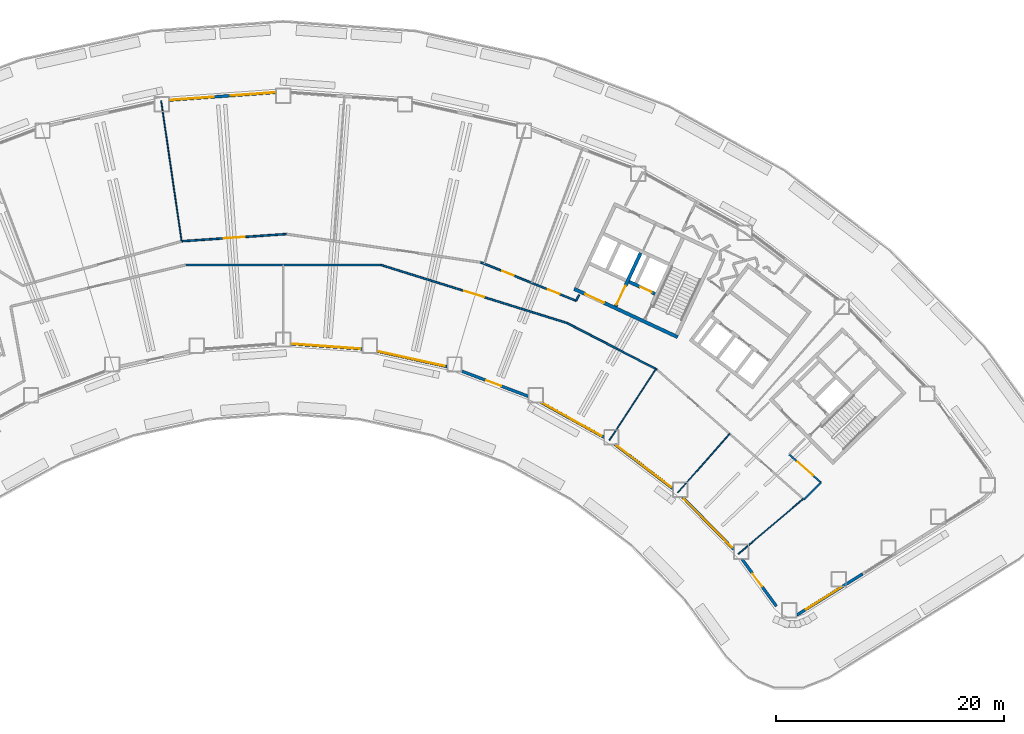
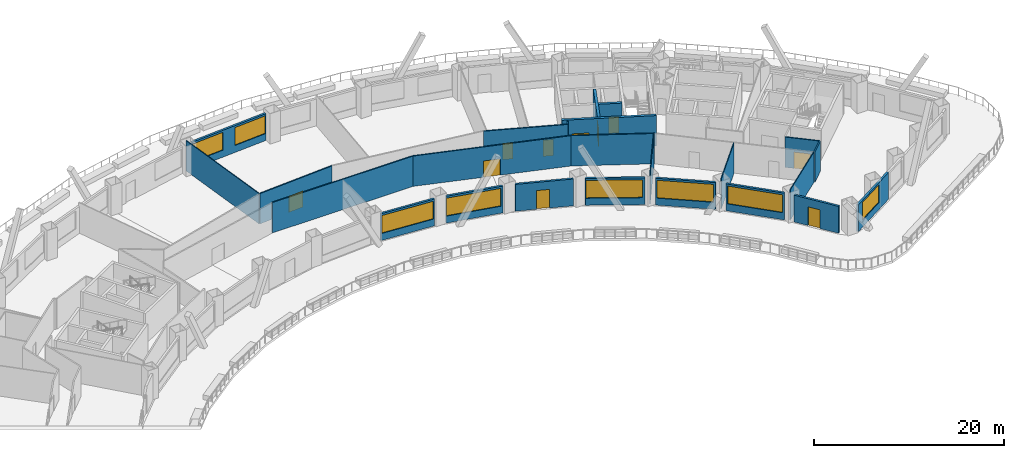
# One storey, part 5 of 12: 24 walls, 10 doors, 8 windows, 18 openings.
"""IFC4 building model written with IfcOpenShell, lengths in metres."""

from ifc_helpers import new_model, si_unit, direction, frame, frame_2d, origin, place, context, subcontext, project, spatial, rectangle, extrude, material, layer, layer_set, type_object, element, fill, save


model = new_model("IFC4")

# Units and contexts
model_context = context("Model", 3, precision=1e-05, world=origin(), true_north=direction((0.0, 1.0)))
body_context = subcontext(model_context, "Body", "Model", "MODEL_VIEW")
ifc_project = project(units=[si_unit("LENGTHUNIT", "METRE"), si_unit("AREAUNIT", "SQUARE_METRE"), si_unit("VOLUMEUNIT", "CUBIC_METRE"), si_unit("PLANEANGLEUNIT", "RADIAN"), si_unit("MASSUNIT", "GRAM", prefix="KILO")], contexts=[model_context])

# Site, building, storey
site_placement = place(None, origin())
site = spatial("IfcSite", under=ifc_project, at=site_placement, CompositionType="ELEMENT")
building_placement = place(site_placement, origin())
building = spatial("IfcBuilding", under=site, at=building_placement, Name="Tuul Gate Civic Tower", CompositionType="ELEMENT")
storey_placement = place(building_placement, frame((0.0, 0.0, 31.5)))
storey = spatial("IfcBuildingStorey", under=building, at=storey_placement, Name="Level 06", CompositionType="ELEMENT", Elevation=31.5)

# Wall, opening, door
ifc_material_1 = material(Name="Concrete C50/60", Category="concrete")
ifc_layer_1 = layer(ifc_material_1, 0.300048828125)
ifc_layer_set_1 = layer_set([ifc_layer_1], Name="Concrete C50/60")
wall_type_1 = type_object("IfcWallType", Name="Core wall C50/60", PredefinedType="SHEAR", material=ifc_layer_set_1)
wall_1_placement = place(storey_placement, frame((34.5283203125, -7.25, 0.0), z_axis=(0.0, 0.0, 1.0), x_axis=(-0.906310338845, 0.422612789327, 0.0)))
wall_1 = element("IfcWall", 1, at=wall_1_placement, inside=storey, type_object=wall_type_1, Name="Core wall", PredefinedType="SHEAR", context=body_context, shape_type="SweptSolid", body=[
    extrude(rectangle(XDim=9.999755859375, YDim=0.300048828125, at=frame_2d((5.0, 0.0))), origin(), (0.0, 0.0, 1.0), 3.89990234375),
])
opening_1_placement = place(wall_1_placement, frame((7.125, 0.0, 0.0)))
opening_1 = element("IfcOpeningElement", 2, at=opening_1_placement, cuts=wall_1, Name="Opening LB-E3-LOBBY-1", PredefinedType="OPENING", context=body_context, shape_type="SweptSolid", body=[
    extrude(rectangle(XDim=1.800048828125, YDim=2.10009765625, at=frame_2d((0.89990234375, 1.050048828125))), frame((0.0, 0.16015625, 0.0), z_axis=(0.0, -1.0, 0.0), x_axis=(1.0, 0.0, 0.0)), (0.0, 0.0, 1.0), 0.320068359375),
])
ifc_material_2 = material(Name="Steel", Category="steel")
door_type_1 = type_object("IfcDoorType", Name="Lobby door", OperationType="DOUBLE_DOOR_SINGLE_SWING", PredefinedType="DOOR", material=ifc_material_2)
door_1_placement = place(opening_1_placement, frame((1.800048828125, 0.0, 0.0), z_axis=(0.0, 0.0, 1.0), x_axis=(-1.0, 0.0, 0.0)))
door_1 = element("IfcDoor", 3, at=door_1_placement, inside=storey, type_object=door_type_1, Name="Lobby door E3-LOBBY", OperationType="DOUBLE_DOOR_SINGLE_SWING", OverallHeight=2.10009765625, OverallWidth=1.800048828125, PredefinedType="DOOR", context=body_context, shape_type="SweptSolid", body=[
    extrude(rectangle(XDim=1.800048828125, YDim=2.10009765625, at=frame_2d((0.900146484375, 1.050048828125))), frame((0.0, 0.02490234375, 0.0), z_axis=(0.0, -1.0, 0.0), x_axis=(1.0, 0.0, 0.0)), (0.0, 0.0, 1.0), 0.050048828125),
])
fill(opening_1, door_1)

wall_2_placement = place(storey_placement, frame((32.545654296875, -3.456787109375, 0.0), z_axis=(0.0, 0.0, 1.0), x_axis=(-0.906300357825, 0.42263419337, 0.0)))
wall_2 = element("IfcWall", 4, at=wall_2_placement, inside=storey, type_object=wall_type_1, Name="Core wall", PredefinedType="SHEAR", context=body_context, shape_type="SweptSolid", body=[
    extrude(rectangle(XDim=2.500244140625, YDim=0.300048828125, at=frame_2d((1.25, 0.0))), origin(), (0.0, 0.0, 1.0), 3.89990234375),
])
opening_2_placement = place(wall_2_placement, frame((0.324951171875, 0.0, 0.0)))
opening_2 = element("IfcOpeningElement", 5, at=opening_2_placement, cuts=wall_2, Name="Opening LD-FF-2", PredefinedType="OPENING", context=body_context, shape_type="SweptSolid", body=[
    extrude(rectangle(XDim=1.10009765625, YDim=2.10009765625, at=frame_2d((0.550048828125, 1.050048828125))), frame((0.0, 0.16015625, 0.0), z_axis=(0.0, -1.0, 0.0), x_axis=(1.0, 0.0, 0.0)), (0.0, 0.0, 1.0), 0.320068359375),
])
ifc_material_3 = material(Name="Stainless steel", Category="steel")
door_type_2 = type_object("IfcDoorType", Name="Landing door", OperationType="DOUBLE_DOOR_SLIDING", PredefinedType="DOOR", material=ifc_material_3)
door_2_placement = place(opening_2_placement, origin())
door_2 = element("IfcDoor", 6, at=door_2_placement, inside=storey, type_object=door_type_2, Name="Fire-fighting lift FF-2 landing door", OperationType="DOUBLE_DOOR_SLIDING", OverallHeight=2.10009765625, OverallWidth=1.10009765625, PredefinedType="DOOR", context=body_context, shape_type="SweptSolid", body=[
    extrude(rectangle(XDim=1.10009765625, YDim=2.10009765625, at=frame_2d((0.550048828125, 1.050048828125))), frame((0.0, 0.02490234375, 0.0), z_axis=(0.0, -1.0, 0.0), x_axis=(1.0, 0.0, 0.0)), (0.0, 0.0, 1.0), 0.050048828125),
])
fill(opening_2, door_2)

wall_3_placement = place(storey_placement, frame((29.108642578125, -4.557373046875, 0.0), z_axis=(0.0, 0.0, 1.0), x_axis=(0.422566235356, 0.90633204552, 0.0)))
wall_3 = element("IfcWall", 7, at=wall_3_placement, inside=storey, type_object=wall_type_1, Name="Core wall", PredefinedType="SHEAR", context=body_context, shape_type="SweptSolid", body=[
    extrude(rectangle(XDim=5.150146484375, YDim=0.300048828125, at=frame_2d((2.5751953125, 0.0))), origin(), (0.0, 0.0, 1.0), 3.89990234375),
])
opening_3_placement = place(wall_3_placement, frame((0.175048828125, 0.0, 0.0)))
opening_3 = element("IfcOpeningElement", 8, at=opening_3_placement, cuts=wall_3, Name="Opening LB-E3-FLOBBY-1", PredefinedType="OPENING", context=body_context, shape_type="SweptSolid", body=[
    extrude(rectangle(XDim=1.800048828125, YDim=2.10009765625, at=frame_2d((0.89990234375, 1.050048828125))), frame((0.0, 0.16015625, 0.0), z_axis=(0.0, -1.0, 0.0), x_axis=(1.0, 0.0, 0.0)), (0.0, 0.0, 1.0), 0.320068359375),
])
door_3_placement = place(opening_3_placement, frame((1.800048828125, 0.0, 0.0), z_axis=(0.0, 0.0, 1.0), x_axis=(-1.0, 0.0, 0.0)))
door_3 = element("IfcDoor", 9, at=door_3_placement, inside=storey, type_object=door_type_1, Name="Lobby door E3-FLOBBY", OperationType="DOUBLE_DOOR_SINGLE_SWING", OverallHeight=2.10009765625, OverallWidth=1.800048828125, PredefinedType="DOOR", context=body_context, shape_type="SweptSolid", body=[
    extrude(rectangle(XDim=1.800048828125, YDim=2.10009765625, at=frame_2d((0.900146484375, 1.050048828125))), frame((0.0, 0.02490234375, 0.0), z_axis=(0.0, -1.0, 0.0), x_axis=(1.0, 0.0, 0.0)), (0.0, 0.0, 1.0), 0.050048828125),
])
fill(opening_3, door_3)

# Wall
ifc_material_4 = material(Name="Gypsum board partition")
ifc_layer_2 = layer(ifc_material_4, 0.14990234375)
ifc_layer_set_2 = layer_set([ifc_layer_2], Name="Gypsum board partition")
wall_type_2 = type_object("IfcWallType", Name="Corridor wall P150", PredefinedType="PARTITIONING", material=ifc_layer_set_2)
wall_4_placement = place(storey_placement, frame((45.586181640625, -21.4638671875, 0.0), z_axis=(0.0, 0.0, 1.0), x_axis=(0.711683754501, 0.702499988313, 0.0)))
element("IfcWall", 10, at=wall_4_placement, inside=storey, type_object=wall_type_2, Name="p005", PredefinedType="PARTITIONING", context=body_context, shape_type="SweptSolid", body=[
    extrude(rectangle(XDim=2.10009765625, YDim=0.14990234375, at=frame_2d((1.050048828125, 0.0))), origin(), (0.0, 0.0, 1.0), 3.89990234375),
])

# Wall, opening, door
wall_5_placement = place(storey_placement, frame((44.291259765625, -17.52685546875, 0.0), z_axis=(0.0, 0.0, 1.0), x_axis=(0.749797638127, -0.661667213831, 0.0)))
wall_5 = element("IfcWall", 11, at=wall_5_placement, inside=storey, type_object=wall_type_2, Name="p007", PredefinedType="PARTITIONING", context=body_context, shape_type="SweptSolid", body=[
    extrude(rectangle(XDim=3.720458984375, YDim=0.14990234375, at=frame_2d((1.8603515625, 0.0))), origin(), (0.0, 0.0, 1.0), 3.89990234375),
])
opening_4_placement = place(wall_5_placement, frame((0.960205078125, 0.0, 0.0)))
opening_4 = element("IfcOpeningElement", 12, at=opening_4_placement, cuts=wall_5, Name="Opening A-D01", PredefinedType="OPENING", context=body_context, shape_type="SweptSolid", body=[
    extrude(rectangle(XDim=1.800048828125, YDim=2.10009765625, at=frame_2d((0.89990234375, 1.050048828125))), frame((0.0, 0.0849609375, 0.0), z_axis=(0.0, -1.0, 0.0), x_axis=(1.0, 0.0, 0.0)), (0.0, 0.0, 1.0), 0.169921875),
])
ifc_material_5 = material(Name="Timber door leaf, double", Category="wood")
door_type_3 = type_object("IfcDoorType", Name="Door D18", OperationType="DOUBLE_DOOR_SINGLE_SWING", PredefinedType="DOOR", material=ifc_material_5)
door_4_placement = place(opening_4_placement, origin())
door_4 = element("IfcDoor", 13, at=door_4_placement, inside=storey, type_object=door_type_3, Name="Door A-D01", OperationType="DOUBLE_DOOR_SINGLE_SWING", OverallHeight=2.10009765625, OverallWidth=1.800048828125, PredefinedType="DOOR", context=body_context, shape_type="SweptSolid", body=[
    extrude(rectangle(XDim=1.800048828125, YDim=2.10009765625, at=frame_2d((0.89990234375, 1.050048828125))), frame((0.0, 0.02490234375, 0.0), z_axis=(0.0, -1.0, 0.0), x_axis=(1.0, 0.0, 0.0)), (0.0, 0.0, 1.0), 0.050048828125),
])
fill(opening_4, door_4)

# Wall
wall_6_placement = place(storey_placement, frame((25.640625, -4.05224609375, 0.0), z_axis=(0.0, 0.0, 1.0), x_axis=(0.459613620353, 0.888118978508, 0.0)))
element("IfcWall", 14, at=wall_6_placement, inside=storey, type_object=wall_type_2, Name="p029", PredefinedType="PARTITIONING", context=body_context, shape_type="SweptSolid", body=[
    extrude(rectangle(XDim=0.55712890625, YDim=0.14990234375, at=frame_2d((0.278564453125, 0.0))), origin(), (0.0, 0.0, 1.0), 3.89990234375),
])

# Wall, openings, doors
wall_7_placement = place(storey_placement, frame((17.2890625, -0.700927734375, 0.0), z_axis=(0.0, 0.0, 1.0), x_axis=(0.927281052186, -0.374365930951, 0.0)))
wall_7 = element("IfcWall", 15, at=wall_7_placement, inside=storey, type_object=wall_type_2, Name="p031", PredefinedType="PARTITIONING", context=body_context, shape_type="SweptSolid", body=[
    extrude(rectangle(XDim=8.97802734375, YDim=0.14990234375, at=frame_2d((4.489013671875, 0.0))), origin(), (0.0, 0.0, 1.0), 3.89990234375),
])
opening_5_placement = place(wall_7_placement, frame((6.341064453125, 0.0, 0.0)))
opening_5 = element("IfcOpeningElement", 16, at=opening_5_placement, cuts=wall_7, Name="Opening A-D04", PredefinedType="OPENING", context=body_context, shape_type="SweptSolid", body=[
    extrude(rectangle(XDim=1.10009765625, YDim=2.10009765625, at=frame_2d((0.550048828125, 1.050048828125))), frame((0.0, 0.0849609375, 0.0), z_axis=(0.0, -1.0, 0.0), x_axis=(1.0, 0.0, 0.0)), (0.0, 0.0, 1.0), 0.169921875),
])
opening_6_placement = place(wall_7_placement, frame((2.023681640625, 0.0, 0.0)))
opening_6 = element("IfcOpeningElement", 17, at=opening_6_placement, cuts=wall_7, Name="Opening A-D05", PredefinedType="OPENING", context=body_context, shape_type="SweptSolid", body=[
    extrude(rectangle(XDim=1.10009765625, YDim=2.10009765625, at=frame_2d((0.550048828125, 1.050048828125))), frame((0.0, 0.0849609375, 0.0), z_axis=(0.0, -1.0, 0.0), x_axis=(1.0, 0.0, 0.0)), (0.0, 0.0, 1.0), 0.169921875),
])
ifc_material_6 = material(Name="Timber door leaf", Category="wood")
door_type_4 = type_object("IfcDoorType", Name="Door D11", OperationType="NOTDEFINED", PredefinedType="DOOR", material=ifc_material_6)
door_5_placement = place(opening_5_placement, origin())
door_5 = element("IfcDoor", 18, at=door_5_placement, inside=storey, type_object=door_type_4, Name="Door A-D04", OperationType="SINGLE_SWING_RIGHT", OverallHeight=2.10009765625, OverallWidth=1.10009765625, PredefinedType="DOOR", context=body_context, shape_type="SweptSolid", body=[
    extrude(rectangle(XDim=1.10009765625, YDim=2.10009765625, at=frame_2d((0.550048828125, 1.050048828125))), frame((0.0, 0.02490234375, 0.0), z_axis=(0.0, -1.0, 0.0), x_axis=(1.0, 0.0, 0.0)), (0.0, 0.0, 1.0), 0.050048828125),
])
fill(opening_5, door_5)
door_6_placement = place(opening_6_placement, origin())
door_6 = element("IfcDoor", 19, at=door_6_placement, inside=storey, type_object=door_type_4, Name="Door A-D05", OperationType="SINGLE_SWING_RIGHT", OverallHeight=2.10009765625, OverallWidth=1.10009765625, PredefinedType="DOOR", context=body_context, shape_type="SweptSolid", body=[
    extrude(rectangle(XDim=1.10009765625, YDim=2.10009765625, at=frame_2d((0.550048828125, 1.050048828125))), frame((0.0, 0.02490234375, 0.0), z_axis=(0.0, -1.0, 0.0), x_axis=(1.0, 0.0, 0.0)), (0.0, 0.0, 1.0), 0.050048828125),
])
fill(opening_6, door_6)

# Wall, opening, door
wall_8_placement = place(storey_placement, frame((-8.859619140625, 1.150390625, 0.0), z_axis=(0.0, 0.0, 1.0), x_axis=(0.997685215512, 0.068001549611, 0.0)))
wall_8 = element("IfcWall", 20, at=wall_8_placement, inside=storey, type_object=wall_type_2, Name="p036", PredefinedType="PARTITIONING", context=body_context, shape_type="SweptSolid", body=[
    extrude(rectangle(XDim=9.14794921875, YDim=0.14990234375, at=frame_2d((4.573974609375, 0.0))), origin(), (0.0, 0.0, 1.0), 3.89990234375),
])
opening_7_placement = place(wall_8_placement, frame((3.673828125, 0.0, 0.0)))
opening_7 = element("IfcOpeningElement", 21, at=opening_7_placement, cuts=wall_8, Name="Opening A-D07", PredefinedType="OPENING", context=body_context, shape_type="SweptSolid", body=[
    extrude(rectangle(XDim=1.800048828125, YDim=2.10009765625, at=frame_2d((0.89990234375, 1.050048828125))), frame((0.0, 0.0849609375, 0.0), z_axis=(0.0, -1.0, 0.0), x_axis=(1.0, 0.0, 0.0)), (0.0, 0.0, 1.0), 0.169921875),
])
door_7_placement = place(opening_7_placement, origin())
door_7 = element("IfcDoor", 22, at=door_7_placement, inside=storey, type_object=door_type_3, Name="Door A-D07", OperationType="DOUBLE_DOOR_SINGLE_SWING", OverallHeight=2.10009765625, OverallWidth=1.800048828125, PredefinedType="DOOR", context=body_context, shape_type="SweptSolid", body=[
    extrude(rectangle(XDim=1.800048828125, YDim=2.10009765625, at=frame_2d((0.89990234375, 1.050048828125))), frame((0.0, 0.02490234375, 0.0), z_axis=(0.0, -1.0, 0.0), x_axis=(1.0, 0.0, 0.0)), (0.0, 0.0, 1.0), 0.050048828125),
])
fill(opening_7, door_7)

# Walls
wall_9_placement = place(storey_placement, frame((24.8642578125, -6.023681640625, 0.0), z_axis=(0.0, 0.0, 1.0), x_axis=(0.888095926635, -0.459658161132, 0.0)))
element("IfcWall", 23, at=wall_9_placement, inside=storey, type_object=wall_type_2, Name="p056", PredefinedType="PARTITIONING", context=body_context, shape_type="SweptSolid", body=[
    extrude(rectangle(XDim=8.83642578125, YDim=0.14990234375, at=frame_2d((4.418212890625, 0.0))), origin(), (0.0, 0.0, 1.0), 3.89990234375),
])
wall_10_placement = place(storey_placement, frame((-8.558349609375, -0.93310546875, 0.0), z_axis=(0.0, 0.0, 1.0), x_axis=(0.999999997457, -7.1311417e-05, 0.0)))
element("IfcWall", 24, at=wall_10_placement, inside=storey, type_object=wall_type_2, Name="p058", PredefinedType="PARTITIONING", context=body_context, shape_type="SweptSolid", body=[
    extrude(rectangle(XDim=17.117919921875, YDim=0.14990234375, at=frame_2d((8.55908203125, 0.0))), origin(), (0.0, 0.0, 1.0), 3.89990234375),
])

# Wall, opening, door
wall_11_placement = place(storey_placement, frame((8.5595703125, -0.934326171875, 0.0), z_axis=(0.0, 0.0, 1.0), x_axis=(0.954573525143, -0.29797547734, 0.0)))
wall_11 = element("IfcWall", 25, at=wall_11_placement, inside=storey, type_object=wall_type_2, Name="p059", PredefinedType="PARTITIONING", context=body_context, shape_type="SweptSolid", body=[
    extrude(rectangle(XDim=17.08056640625, YDim=0.14990234375, at=frame_2d((8.540283203125, 0.0))), origin(), (0.0, 0.0, 1.0), 3.89990234375),
])
opening_8_placement = place(wall_11_placement, frame((7.640380859375, 0.0, 0.0)))
opening_8 = element("IfcOpeningElement", 26, at=opening_8_placement, cuts=wall_11, Name="Opening A-D15", PredefinedType="OPENING", context=body_context, shape_type="SweptSolid", body=[
    extrude(rectangle(XDim=1.800048828125, YDim=2.10009765625, at=frame_2d((0.89990234375, 1.050048828125))), frame((0.0, 0.0849609375, 0.0), z_axis=(0.0, -1.0, 0.0), x_axis=(1.0, 0.0, 0.0)), (0.0, 0.0, 1.0), 0.169921875),
])
door_8_placement = place(opening_8_placement, frame((1.800048828125, 0.0, 0.0), z_axis=(0.0, 0.0, 1.0), x_axis=(-1.0, 0.0, 0.0)))
door_8 = element("IfcDoor", 27, at=door_8_placement, inside=storey, type_object=door_type_3, Name="Door A-D15", OperationType="DOUBLE_DOOR_SINGLE_SWING", OverallHeight=2.10009765625, OverallWidth=1.800048828125, PredefinedType="DOOR", context=body_context, shape_type="SweptSolid", body=[
    extrude(rectangle(XDim=1.800048828125, YDim=2.10009765625, at=frame_2d((0.900146484375, 1.050048828125))), frame((0.0, 0.02490234375, 0.0), z_axis=(0.0, -1.0, 0.0), x_axis=(1.0, 0.0, 0.0)), (0.0, 0.0, 1.0), 0.050048828125),
])
fill(opening_8, door_8)

# Wall, openings, windows
ifc_material_7 = material(Name="Precast concrete C40/50", Category="concrete")
ifc_layer_3 = layer(ifc_material_7, 0.25)
ifc_layer_set_3 = layer_set([ifc_layer_3], Name="Precast concrete C40/50")
wall_type_3 = type_object("IfcWallType", Name="External wall", PredefinedType="STANDARD", material=ifc_layer_set_3)
wall_12_placement = place(storey_placement, frame((-0.64990234375, 14.177490234375, 0.0), z_axis=(0.0, 0.0, 1.0), x_axis=(-0.997388413682, -0.072224318983, 0.0)))
wall_12 = element("IfcWall", 28, at=wall_12_placement, inside=storey, type_object=wall_type_3, Name="External wall", PredefinedType="STANDARD", context=body_context, shape_type="SweptSolid", body=[
    extrude(rectangle(XDim=9.37353515625, YDim=0.25, at=frame_2d((4.686767578125, 0.0))), origin(), (0.0, 0.0, 1.0), 3.449951171875),
])
opening_9_placement = place(wall_12_placement, frame((0.099853515625, 0.0, 0.89990234375)))
opening_9 = element("IfcOpeningElement", 29, at=opening_9_placement, cuts=wall_12, Name="Opening W22", PredefinedType="OPENING", context=body_context, shape_type="SweptSolid", body=[
    extrude(rectangle(XDim=3.85009765625, YDim=2.300048828125, at=frame_2d((1.925048828125, 1.14990234375))), frame((0.0, 0.135009765625, 0.0), z_axis=(0.0, -1.0, 0.0), x_axis=(1.0, 0.0, 0.0)), (0.0, 0.0, 1.0), 0.27001953125),
])
opening_10_placement = place(wall_12_placement, frame((5.470703125, 0.0, 0.89990234375)))
opening_10 = element("IfcOpeningElement", 30, at=opening_10_placement, cuts=wall_12, Name="Opening W22", PredefinedType="OPENING", context=body_context, shape_type="SweptSolid", body=[
    extrude(rectangle(XDim=3.85009765625, YDim=2.300048828125, at=frame_2d((1.925048828125, 1.14990234375))), frame((0.0, 0.135009765625, 0.0), z_axis=(0.0, -1.0, 0.0), x_axis=(1.0, 0.0, 0.0)), (0.0, 0.0, 1.0), 0.27001953125),
])
ifc_material_8 = material(Name="Glass", Category="glass")
window_type_1 = type_object("IfcWindowType", Name="Window W22 3850 x 2300", PartitioningType="SINGLE_PANEL", PredefinedType="WINDOW", material=ifc_material_8)
window_1_placement = place(opening_9_placement, origin())
window_1 = element("IfcWindow", 31, at=window_1_placement, inside=storey, type_object=window_type_1, Name="Window", OverallHeight=2.300048828125, OverallWidth=3.85009765625, PartitioningType="SINGLE_PANEL", PredefinedType="WINDOW", context=body_context, shape_type="SweptSolid", body=[
    extrude(rectangle(XDim=3.85009765625, YDim=2.300048828125, at=frame_2d((1.925048828125, 1.14990234375))), frame((0.0, 0.030029296875, 0.0), z_axis=(0.0, -1.0, 0.0), x_axis=(1.0, 0.0, 0.0)), (0.0, 0.0, 1.0), 0.06005859375),
])
fill(opening_9, window_1)
window_2_placement = place(opening_10_placement, origin())
window_2 = element("IfcWindow", 32, at=window_2_placement, inside=storey, type_object=window_type_1, Name="Window", OverallHeight=2.300048828125, OverallWidth=3.85009765625, PartitioningType="SINGLE_PANEL", PredefinedType="WINDOW", context=body_context, shape_type="SweptSolid", body=[
    extrude(rectangle(XDim=3.85009765625, YDim=2.300048828125, at=frame_2d((1.925048828125, 1.14990234375))), frame((0.0, 0.030029296875, 0.0), z_axis=(0.0, -1.0, 0.0), x_axis=(1.0, 0.0, 0.0)), (0.0, 0.0, 1.0), 0.06005859375),
])
fill(opening_10, window_2)

# Wall, opening, window
wall_13_placement = place(storey_placement, frame((0.64990234375, -7.830810546875, 0.0), z_axis=(0.0, 0.0, 1.0), x_axis=(0.997395047269, -0.072132653374, 0.0)))
wall_13 = element("IfcWall", 33, at=wall_13_placement, inside=storey, type_object=wall_type_3, Name="External wall", PredefinedType="STANDARD", context=body_context, shape_type="SweptSolid", body=[
    extrude(rectangle(XDim=6.28857421875, YDim=0.25, at=frame_2d((3.144287109375, 0.0))), origin(), (0.0, 0.0, 1.0), 3.449951171875),
])
opening_11_placement = place(wall_13_placement, frame((0.12060546875, 0.0, 0.89990234375)))
opening_11 = element("IfcOpeningElement", 34, at=opening_11_placement, cuts=wall_13, Name="Opening W26", PredefinedType="OPENING", context=body_context, shape_type="SweptSolid", body=[
    extrude(rectangle(XDim=6.0, YDim=2.300048828125, at=frame_2d((3.0, 1.14990234375))), frame((0.0, 0.135009765625, 0.0), z_axis=(0.0, -1.0, 0.0), x_axis=(1.0, 0.0, 0.0)), (0.0, 0.0, 1.0), 0.27001953125),
])
ifc_material_9 = material(Name="Glass", Category="glass")
window_type_2 = type_object("IfcWindowType", Name="Window W26 6000 x 2300", PartitioningType="SINGLE_PANEL", PredefinedType="WINDOW", material=ifc_material_9)
window_3_placement = place(opening_11_placement, origin())
window_3 = element("IfcWindow", 35, at=window_3_placement, inside=storey, type_object=window_type_2, Name="Window", OverallHeight=2.300048828125, OverallWidth=6.0, PartitioningType="SINGLE_PANEL", PredefinedType="WINDOW", context=body_context, shape_type="SweptSolid", body=[
    extrude(rectangle(XDim=6.0, YDim=2.300048828125, at=frame_2d((3.0, 1.14990234375))), frame((0.0, 0.030029296875, 0.0), z_axis=(0.0, -1.0, 0.0), x_axis=(1.0, 0.0, 0.0)), (0.0, 0.0, 1.0), 0.06005859375),
])
fill(opening_11, window_3)

wall_14_placement = place(storey_placement, frame((8.221923828125, -8.481689453125, 0.0), z_axis=(0.0, 0.0, 1.0), x_axis=(0.97656633669, -0.215216611915, 0.0)))
wall_14 = element("IfcWall", 36, at=wall_14_placement, inside=storey, type_object=wall_type_3, Name="External wall", PredefinedType="STANDARD", context=body_context, shape_type="SweptSolid", body=[
    extrude(rectangle(XDim=6.2607421875, YDim=0.25, at=frame_2d((3.13037109375, 0.0))), origin(), (0.0, 0.0, 1.0), 3.449951171875),
])
opening_12_placement = place(wall_14_placement, frame((0.05859375, 0.0, 0.89990234375)))
opening_12 = element("IfcOpeningElement", 37, at=opening_12_placement, cuts=wall_14, Name="Opening W26", PredefinedType="OPENING", context=body_context, shape_type="SweptSolid", body=[
    extrude(rectangle(XDim=6.0, YDim=2.300048828125, at=frame_2d((3.0, 1.14990234375))), frame((0.0, 0.135009765625, 0.0), z_axis=(0.0, -1.0, 0.0), x_axis=(1.0, 0.0, 0.0)), (0.0, 0.0, 1.0), 0.27001953125),
])
window_4_placement = place(opening_12_placement, origin())
window_4 = element("IfcWindow", 38, at=window_4_placement, inside=storey, type_object=window_type_2, Name="Window", OverallHeight=2.300048828125, OverallWidth=6.0, PartitioningType="SINGLE_PANEL", PredefinedType="WINDOW", context=body_context, shape_type="SweptSolid", body=[
    extrude(rectangle(XDim=6.0, YDim=2.300048828125, at=frame_2d((3.0, 1.14990234375))), frame((0.0, 0.030029296875, 0.0), z_axis=(0.0, -1.0, 0.0), x_axis=(1.0, 0.0, 0.0)), (0.0, 0.0, 1.0), 0.06005859375),
])
fill(opening_12, window_4)

# Wall, opening, door
wall_15_placement = place(storey_placement, frame((15.635986328125, -10.23291015625, 0.0), z_axis=(0.0, 0.0, 1.0), x_axis=(0.935359836581, -0.353697577193, 0.0)))
wall_15 = element("IfcWall", 39, at=wall_15_placement, inside=storey, type_object=wall_type_3, Name="External wall", PredefinedType="STANDARD", context=body_context, shape_type="SweptSolid", body=[
    extrude(rectangle(XDim=6.201904296875, YDim=0.25, at=frame_2d((3.10107421875, 0.0))), origin(), (0.0, 0.0, 1.0), 3.449951171875),
])
opening_13_placement = place(wall_15_placement, frame((2.277587890625, 0.0, 0.0)))
opening_13 = element("IfcOpeningElement", 40, at=opening_13_placement, cuts=wall_15, Name="Opening TD", PredefinedType="OPENING", context=body_context, shape_type="SweptSolid", body=[
    extrude(rectangle(XDim=1.39990234375, YDim=2.39990234375, at=frame_2d((0.699951171875, 1.199951171875))), frame((0.0, 0.135009765625, 0.0), z_axis=(0.0, -1.0, 0.0), x_axis=(1.0, 0.0, 0.0)), (0.0, 0.0, 1.0), 0.27001953125),
])
ifc_material_10 = material(Name="Glazed aluminium", Category="aluminium")
door_type_5 = type_object("IfcDoorType", Name="Terrace door", OperationType="DOUBLE_DOOR_SINGLE_SWING", PredefinedType="DOOR", material=ifc_material_10)
door_9_placement = place(opening_13_placement, frame((1.39990234375, 0.0, 0.0), z_axis=(0.0, 0.0, 1.0), x_axis=(-1.0, 0.0, 0.0)))
door_9 = element("IfcDoor", 41, at=door_9_placement, inside=storey, type_object=door_type_5, Name="Terrace door", OperationType="DOUBLE_DOOR_SINGLE_SWING", OverallHeight=2.39990234375, OverallWidth=1.39990234375, PredefinedType="DOOR", context=body_context, shape_type="SweptSolid", body=[
    extrude(rectangle(XDim=1.39990234375, YDim=2.39990234375, at=frame_2d((0.699951171875, 1.199951171875))), frame((0.0, 0.02490234375, 0.0), z_axis=(0.0, -1.0, 0.0), x_axis=(1.0, 0.0, 0.0)), (0.0, 0.0, 1.0), 0.050048828125),
])
fill(opening_13, door_9)

# Wall, opening, window
wall_16_placement = place(storey_placement, frame((22.589599609375, -12.97509765625, 0.0), z_axis=(0.0, 0.0, 1.0), x_axis=(0.874630436192, -0.484790264018, 0.0)))
wall_16 = element("IfcWall", 42, at=wall_16_placement, inside=storey, type_object=wall_type_3, Name="External wall", PredefinedType="STANDARD", context=body_context, shape_type="SweptSolid", body=[
    extrude(rectangle(XDim=6.27392578125, YDim=0.25, at=frame_2d((3.136962890625, 0.0))), origin(), (0.0, 0.0, 1.0), 3.449951171875),
])
opening_14_placement = place(wall_16_placement, frame((0.0869140625, 0.0, 0.89990234375)))
opening_14 = element("IfcOpeningElement", 43, at=opening_14_placement, cuts=wall_16, Name="Opening W101", PredefinedType="OPENING", context=body_context, shape_type="SweptSolid", body=[
    extrude(rectangle(XDim=5.949951171875, YDim=2.300048828125, at=frame_2d((2.97509765625, 1.14990234375))), frame((0.0, 0.135009765625, 0.0), z_axis=(0.0, -1.0, 0.0), x_axis=(1.0, 0.0, 0.0)), (0.0, 0.0, 1.0), 0.27001953125),
])
ifc_material_11 = material(Name="Glass", Category="glass")
window_type_3 = type_object("IfcWindowType", Name="Window W101 5950 x 2300", PartitioningType="SINGLE_PANEL", PredefinedType="WINDOW", material=ifc_material_11)
window_5_placement = place(opening_14_placement, origin())
window_5 = element("IfcWindow", 44, at=window_5_placement, inside=storey, type_object=window_type_3, Name="Window", OverallHeight=2.300048828125, OverallWidth=5.949951171875, PartitioningType="SINGLE_PANEL", PredefinedType="WINDOW", context=body_context, shape_type="SweptSolid", body=[
    extrude(rectangle(XDim=5.949951171875, YDim=2.300048828125, at=frame_2d((2.97509765625, 1.14990234375))), frame((0.0, 0.030029296875, 0.0), z_axis=(0.0, -1.0, 0.0), x_axis=(1.0, 0.0, 0.0)), (0.0, 0.0, 1.0), 0.06005859375),
])
fill(opening_14, window_5)

wall_17_placement = place(storey_placement, frame((29.044921875, -16.656005859375, 0.0), z_axis=(0.0, 0.0, 1.0), x_axis=(0.795571471624, -0.605859747416, 0.0)))
wall_17 = element("IfcWall", 45, at=wall_17_placement, inside=storey, type_object=wall_type_3, Name="External wall", PredefinedType="STANDARD", context=body_context, shape_type="SweptSolid", body=[
    extrude(rectangle(XDim=6.375244140625, YDim=0.25, at=frame_2d((3.1875, 0.0))), origin(), (0.0, 0.0, 1.0), 3.449951171875),
])
opening_15_placement = place(wall_17_placement, frame((0.1484375, 0.0, 0.89990234375)))
opening_15 = element("IfcOpeningElement", 46, at=opening_15_placement, cuts=wall_17, Name="Opening W26", PredefinedType="OPENING", context=body_context, shape_type="SweptSolid", body=[
    extrude(rectangle(XDim=6.0, YDim=2.300048828125, at=frame_2d((3.0, 1.14990234375))), frame((0.0, 0.135009765625, 0.0), z_axis=(0.0, -1.0, 0.0), x_axis=(1.0, 0.0, 0.0)), (0.0, 0.0, 1.0), 0.27001953125),
])
window_6_placement = place(opening_15_placement, origin())
window_6 = element("IfcWindow", 47, at=window_6_placement, inside=storey, type_object=window_type_2, Name="Window", OverallHeight=2.300048828125, OverallWidth=6.0, PartitioningType="SINGLE_PANEL", PredefinedType="WINDOW", context=body_context, shape_type="SweptSolid", body=[
    extrude(rectangle(XDim=6.0, YDim=2.300048828125, at=frame_2d((3.0, 1.14990234375))), frame((0.0, 0.030029296875, 0.0), z_axis=(0.0, -1.0, 0.0), x_axis=(1.0, 0.0, 0.0)), (0.0, 0.0, 1.0), 0.06005859375),
])
fill(opening_15, window_6)

wall_18_placement = place(storey_placement, frame((34.948974609375, -21.2548828125, 0.0), z_axis=(0.0, 0.0, 1.0), x_axis=(0.699998211198, -0.714144596227, 0.0)))
wall_18 = element("IfcWall", 48, at=wall_18_placement, inside=storey, type_object=wall_type_3, Name="External wall", PredefinedType="STANDARD", context=body_context, shape_type="SweptSolid", body=[
    extrude(rectangle(XDim=6.40283203125, YDim=0.25, at=frame_2d((3.201416015625, 0.0))), origin(), (0.0, 0.0, 1.0), 3.449951171875),
])
opening_16_placement = place(wall_18_placement, frame((0.203857421875, 0.0, 0.89990234375)))
opening_16 = element("IfcOpeningElement", 49, at=opening_16_placement, cuts=wall_18, Name="Opening W26", PredefinedType="OPENING", context=body_context, shape_type="SweptSolid", body=[
    extrude(rectangle(XDim=6.0, YDim=2.300048828125, at=frame_2d((3.0, 1.14990234375))), frame((0.0, 0.135009765625, 0.0), z_axis=(0.0, -1.0, 0.0), x_axis=(1.0, 0.0, 0.0)), (0.0, 0.0, 1.0), 0.27001953125),
])
window_7_placement = place(opening_16_placement, origin())
window_7 = element("IfcWindow", 50, at=window_7_placement, inside=storey, type_object=window_type_2, Name="Window", OverallHeight=2.300048828125, OverallWidth=6.0, PartitioningType="SINGLE_PANEL", PredefinedType="WINDOW", context=body_context, shape_type="SweptSolid", body=[
    extrude(rectangle(XDim=6.0, YDim=2.300048828125, at=frame_2d((3.0, 1.14990234375))), frame((0.0, 0.030029296875, 0.0), z_axis=(0.0, -1.0, 0.0), x_axis=(1.0, 0.0, 0.0)), (0.0, 0.0, 1.0), 0.06005859375),
])
fill(opening_16, window_7)

# Wall, opening, door
wall_19_placement = place(storey_placement, frame((40.1533203125, -26.676025390625, 0.0), z_axis=(0.0, 0.0, 1.0), x_axis=(0.589712900291, -0.807612961282, 0.0)))
wall_19 = element("IfcWall", 51, at=wall_19_placement, inside=storey, type_object=wall_type_3, Name="External wall", PredefinedType="STANDARD", context=body_context, shape_type="SweptSolid", body=[
    extrude(rectangle(XDim=5.120361328125, YDim=0.25, at=frame_2d((2.56005859375, 0.0))), origin(), (0.0, 0.0, 1.0), 3.449951171875),
])
opening_17_placement = place(wall_19_placement, frame((1.593017578125, 0.0, 0.0)))
opening_17 = element("IfcOpeningElement", 52, at=opening_17_placement, cuts=wall_19, Name="Opening TD", PredefinedType="OPENING", context=body_context, shape_type="SweptSolid", body=[
    extrude(rectangle(XDim=1.39990234375, YDim=2.39990234375, at=frame_2d((0.699951171875, 1.199951171875))), frame((0.0, 0.135009765625, 0.0), z_axis=(0.0, -1.0, 0.0), x_axis=(1.0, 0.0, 0.0)), (0.0, 0.0, 1.0), 0.27001953125),
])
door_10_placement = place(opening_17_placement, frame((1.39990234375, 0.0, 0.0), z_axis=(0.0, 0.0, 1.0), x_axis=(-1.0, 0.0, 0.0)))
door_10 = element("IfcDoor", 53, at=door_10_placement, inside=storey, type_object=door_type_5, Name="Terrace door", OperationType="DOUBLE_DOOR_SINGLE_SWING", OverallHeight=2.39990234375, OverallWidth=1.39990234375, PredefinedType="DOOR", context=body_context, shape_type="SweptSolid", body=[
    extrude(rectangle(XDim=1.39990234375, YDim=2.39990234375, at=frame_2d((0.699951171875, 1.199951171875))), frame((0.0, 0.02490234375, 0.0), z_axis=(0.0, -1.0, 0.0), x_axis=(1.0, 0.0, 0.0)), (0.0, 0.0, 1.0), 0.050048828125),
])
fill(opening_17, door_10)

# Wall, opening, window
wall_20_placement = place(storey_placement, frame((44.950927734375, -31.5869140625, 0.0), z_axis=(0.0, 0.0, 1.0), x_axis=(0.848068815002, 0.529886105707, 0.0)))
wall_20 = element("IfcWall", 54, at=wall_20_placement, inside=storey, type_object=wall_type_3, Name="External wall", PredefinedType="STANDARD", context=body_context, shape_type="SweptSolid", body=[
    extrude(rectangle(XDim=6.807373046875, YDim=0.25, at=frame_2d((3.40380859375, 0.0))), origin(), (0.0, 0.0, 1.0), 3.449951171875),
])
opening_18_placement = place(wall_20_placement, frame((0.943115234375, 0.0, 0.89990234375)))
opening_18 = element("IfcOpeningElement", 55, at=opening_18_placement, cuts=wall_20, Name="Opening W21", PredefinedType="OPENING", context=body_context, shape_type="SweptSolid", body=[
    extrude(rectangle(XDim=3.699951171875, YDim=2.300048828125, at=frame_2d((1.85009765625, 1.14990234375))), frame((0.0, 0.135009765625, 0.0), z_axis=(0.0, -1.0, 0.0), x_axis=(1.0, 0.0, 0.0)), (0.0, 0.0, 1.0), 0.27001953125),
])
ifc_material_12 = material(Name="Glass", Category="glass")
window_type_4 = type_object("IfcWindowType", Name="Window W21 3700 x 2300", PartitioningType="SINGLE_PANEL", PredefinedType="WINDOW", material=ifc_material_12)
window_8_placement = place(opening_18_placement, origin())
window_8 = element("IfcWindow", 56, at=window_8_placement, inside=storey, type_object=window_type_4, Name="Window", OverallHeight=2.300048828125, OverallWidth=3.699951171875, PartitioningType="SINGLE_PANEL", PredefinedType="WINDOW", context=body_context, shape_type="SweptSolid", body=[
    extrude(rectangle(XDim=3.699951171875, YDim=2.300048828125, at=frame_2d((1.85009765625, 1.14990234375))), frame((0.0, 0.030029296875, 0.0), z_axis=(0.0, -1.0, 0.0), x_axis=(1.0, 0.0, 0.0)), (0.0, 0.0, 1.0), 0.06005859375),
])
fill(opening_18, window_8)

# Walls
ifc_material_13 = material(Name="Gypsum board partition")
ifc_layer_4 = layer(ifc_material_13, 0.10009765625)
ifc_layer_set_4 = layer_set([ifc_layer_4], Name="Gypsum board partition")
wall_type_4 = type_object("IfcWallType", Name="Partition P100", PredefinedType="PARTITIONING", material=ifc_layer_set_4)
wall_21_placement = place(storey_placement, frame((34.547607421875, -20.852783203125, 0.0), z_axis=(0.0, 0.0, 1.0), x_axis=(0.661679374331, 0.749786906784, 0.0)))
element("IfcWall", 57, at=wall_21_placement, inside=storey, type_object=wall_type_4, Name="p001", PredefinedType="PARTITIONING", context=body_context, shape_type="SweptSolid", body=[
    extrude(rectangle(XDim=6.8525390625, YDim=0.10009765625, at=frame_2d((3.42626953125, 0.0))), origin(), (0.0, 0.0, 1.0), 3.89990234375),
])
wall_22_placement = place(storey_placement, frame((39.82861328125, -26.239990234375, 0.0), z_axis=(0.0, 0.0, 1.0), x_axis=(0.762833019798, 0.646595533472, 0.0)))
element("IfcWall", 58, at=wall_22_placement, inside=storey, type_object=wall_type_4, Name="p003", PredefinedType="PARTITIONING", context=body_context, shape_type="SweptSolid", body=[
    extrude(rectangle(XDim=7.468994140625, YDim=0.10009765625, at=frame_2d((3.734375, 0.0))), origin(), (0.0, 0.0, 1.0), 3.89990234375),
])
wall_23_placement = place(storey_placement, frame((-10.696533203125, 13.454833984375, 0.0), z_axis=(0.0, 0.0, 1.0), x_axis=(0.144054399336, -0.989569770169, 0.0)))
element("IfcWall", 59, at=wall_23_placement, inside=storey, type_object=wall_type_4, Name="p035", PredefinedType="PARTITIONING", context=body_context, shape_type="SweptSolid", body=[
    extrude(rectangle(XDim=12.446533203125, YDim=0.10009765625, at=frame_2d((6.22314453125, 0.0))), origin(), (0.0, 0.0, 1.0), 3.89990234375),
])
wall_24_placement = place(storey_placement, frame((28.5458984375, -16.2822265625, 0.0), z_axis=(0.0, 0.0, 1.0), x_axis=(0.546718163474, 0.837316696195, 0.0)))
element("IfcWall", 60, at=wall_24_placement, inside=storey, type_object=wall_type_4, Name="p055", PredefinedType="PARTITIONING", context=body_context, shape_type="SweptSolid", body=[
    extrude(rectangle(XDim=7.4560546875, YDim=0.10009765625, at=frame_2d((3.72802734375, 0.0))), origin(), (0.0, 0.0, 1.0), 3.89990234375),
])

save(model, "model.ifc")
